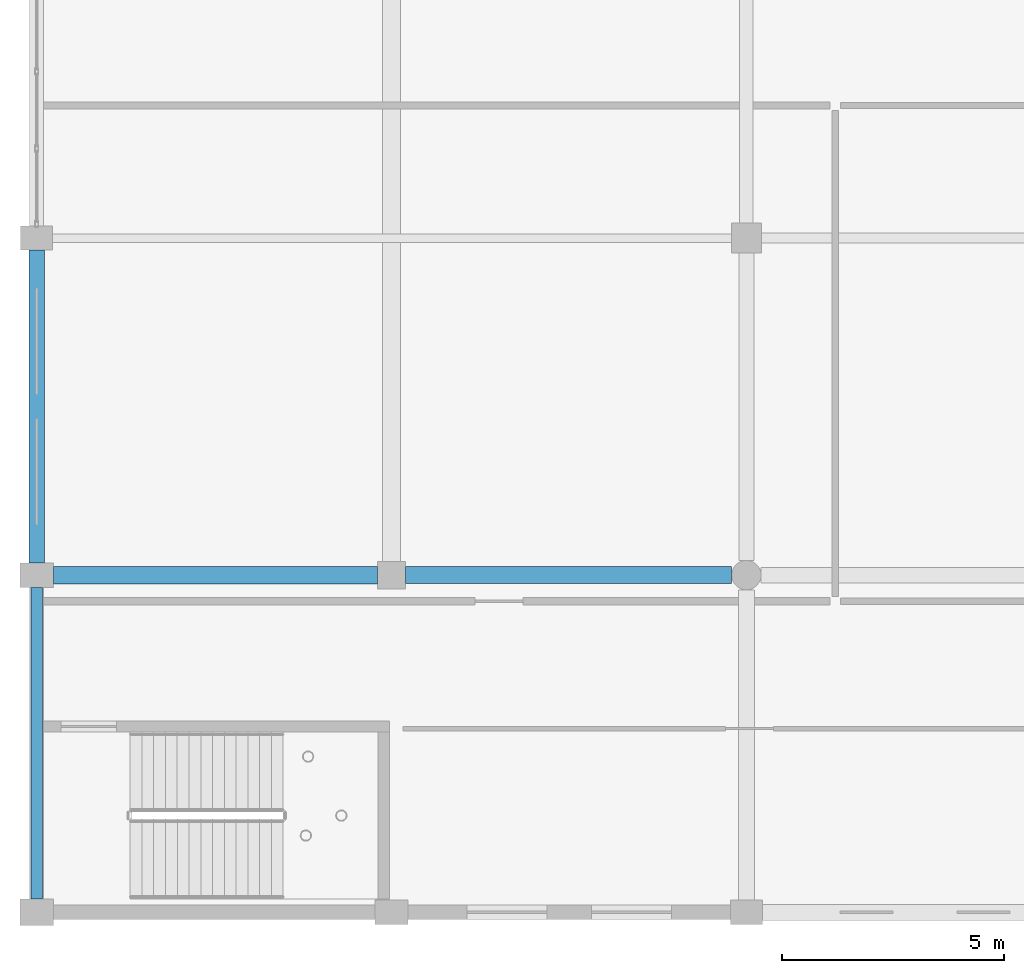
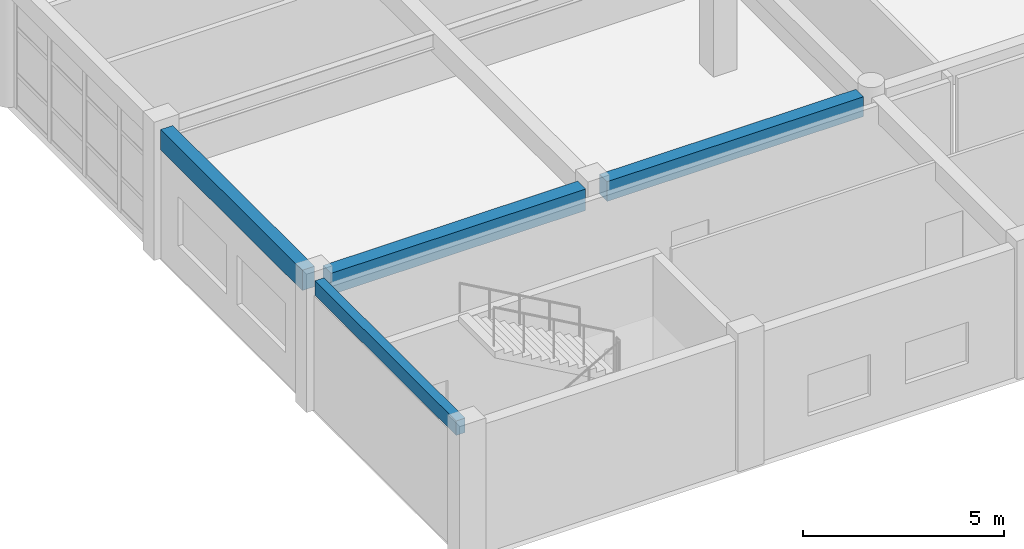
# One storey, part 33 of 195: 4 beams.
"""IFC4 building model written with IfcOpenShell, lengths in metres."""

import ifcopenshell
import ifcopenshell.guid

model = None  # the IFC model being written
_history = None  # IfcOwnerHistory: only IFC2X3 demands one
_inside = {}  # id of a spatial element -> (the spatial element, [elements in it])
_under = {}  # id of a project, library or spatial element -> (it, [spatial elements below it])
_declared = {}  # id of a project -> (the project, [libraries it declares])
_typed = {}  # id of a type object -> (the type object, [elements of that type])
_made_of = {}  # id of a material, layer set ... -> (it, [elements and type objects made of it])


def new_model(schema):
    """Start an empty IFC model of exactly this schema.

    Asked for "IFC4X3", IfcOpenShell would pick the latest addendum, in which some entities
    have other attributes; the version numbers below select the first issue.
    IFC2X3 requires an IfcOwnerHistory on every rooted entity: one is made here for all.
    """
    global model, _history
    if schema == "IFC4X3":
        model = ifcopenshell.file(schema_version=(4, 3, 0, 0))
    else:
        model = ifcopenshell.file(schema=schema)
    _inside.clear()
    _under.clear()
    _declared.clear()
    _typed.clear()
    _made_of.clear()
    _history = None
    if model.schema == "IFC2X3":
        org = make("IfcOrganization", Name="unknown")
        user = make(
            "IfcPersonAndOrganization",
            ThePerson=make("IfcPerson", FamilyName="unknown"),
            TheOrganization=org,
        )
        app = make(
            "IfcApplication",
            ApplicationDeveloper=org,
            Version="unknown",
            ApplicationFullName="unknown",
            ApplicationIdentifier="unknown",
        )
        _history = make(
            "IfcOwnerHistory",
            OwningUser=user,
            OwningApplication=app,
            ChangeAction="ADDED",
            CreationDate=0,
        )
    return model


def make(cls, **values):
    """One entity of the class cls with the attributes given. An attribute that is None is left unset."""
    return model.create_entity(
        cls, **{name: value for name, value in values.items() if value is not None}
    )


def rooted(cls, **values):
    """An entity with a GlobalId (a new one), such as an element, a storey or a relation."""
    return make(cls, GlobalId=ifcopenshell.guid.new(), OwnerHistory=_history, **values)


def si_unit(unit_type, name, prefix=None):
    """IfcSIUnit, for example si_unit("LENGTHUNIT", "METRE", prefix="MILLI")."""
    return make("IfcSIUnit", UnitType=unit_type, Prefix=prefix, Name=name)


def assignment(units):
    """IfcUnitAssignment: the units of a project."""
    return None if units is None else make("IfcUnitAssignment", Units=units)


def point(xyz):
    """IfcCartesianPoint."""
    return None if xyz is None else make("IfcCartesianPoint", Coordinates=xyz)


def direction(xyz):
    """IfcDirection."""
    return None if xyz is None else make("IfcDirection", DirectionRatios=xyz)


def frame(location, z_axis=None, x_axis=None):
    """IfcAxis2Placement3D, a coordinate frame: its origin and axes. An axis left out is left unset."""
    return make(
        "IfcAxis2Placement3D",
        Location=point(location),
        Axis=direction(z_axis),
        RefDirection=direction(x_axis),
    )


def frame_2d(location, x_axis=None):
    """IfcAxis2Placement2D, a coordinate frame in the plane: its origin and x axis."""
    return make(
        "IfcAxis2Placement2D", Location=point(location), RefDirection=direction(x_axis)
    )


def origin():
    """The frame at (0, 0, 0) with its axes left unset."""
    return frame((0.0, 0.0, 0.0))


def origin_2d():
    """The frame at (0, 0) in the plane with its x axis left unset."""
    return frame_2d((0.0, 0.0))


def place(relative_to, where):
    """IfcLocalPlacement: puts the frame where relative to a parent placement (None: the world)."""
    return make(
        "IfcLocalPlacement", PlacementRelTo=relative_to, RelativePlacement=where
    )


def context(
    kind, dimensions, precision=None, world=None, true_north=None, identifier=None
):
    """IfcGeometricRepresentationContext, for example the 3D "Model" context."""
    return make(
        "IfcGeometricRepresentationContext",
        ContextIdentifier=identifier,
        ContextType=kind,
        CoordinateSpaceDimension=dimensions,
        Precision=precision,
        WorldCoordinateSystem=world,
        TrueNorth=true_north,
    )


def subcontext(parent, identifier, kind, view, scale=None):
    """IfcGeometricRepresentationSubContext, for example "Body" below "Model"."""
    return make(
        "IfcGeometricRepresentationSubContext",
        ContextIdentifier=identifier,
        ContextType=kind,
        ParentContext=parent,
        TargetScale=scale,
        TargetView=view,
    )


def project(units=None, contexts=None):
    """IfcProject with its units and contexts."""
    return rooted(
        "IfcProject",
        Name="project",
        RepresentationContexts=contexts,
        UnitsInContext=assignment(units),
    )


def spatial(cls, under=None, at=None, **own):
    """A site, building, storey or space (cls), placed at a placement, below another one or the project."""
    s = rooted(cls, ObjectPlacement=at, **own)
    if under is not None:
        _under.setdefault(under.id(), (under, []))[1].append(s)
    return s


def profile(cls, at=None, kind="AREA", **sizes):
    """A parametric profile (cls). Its sizes go by their IFC names, for example OverallWidth=200.0."""
    return make(cls, ProfileType=kind, Position=at, **sizes)


def rectangle(**sizes):
    """IfcRectangleProfileDef."""
    return profile("IfcRectangleProfileDef", **sizes)


def extrude(swept, where, along, depth):
    """IfcExtrudedAreaSolid: the profile swept, set in the frame where, extruded along a direction by depth."""
    return make(
        "IfcExtrudedAreaSolid",
        SweptArea=swept,
        Position=where,
        ExtrudedDirection=direction(along),
        Depth=depth,
    )


def shape(context_of_items, identifier, shape_type, items):
    """IfcShapeRepresentation: the items that make up one representation, for example the "Body"."""
    return make(
        "IfcShapeRepresentation",
        ContextOfItems=context_of_items,
        RepresentationIdentifier=identifier,
        RepresentationType=shape_type,
        Items=items,
    )


def material(Name=None, Category=None):
    """IfcMaterial."""
    return make("IfcMaterial", Name=Name, Category=Category)


def material_profile(
    of_material, cross_section, Name=None, Category=None, Priority=None
):
    """IfcMaterialProfile: a cross section and its material."""
    return make(
        "IfcMaterialProfile",
        Name=Name,
        Material=of_material,
        Profile=cross_section,
        Priority=Priority,
        Category=Category,
    )


def profile_set(profiles, Name=None, composite=None):
    """IfcMaterialProfileSet."""
    return make(
        "IfcMaterialProfileSet",
        Name=Name,
        MaterialProfiles=profiles,
        CompositeProfile=composite,
    )


def made_of(thing, what):
    """Note that an element or type object is made of a material, layer set ...; save() writes the relation."""
    if what is not None:
        _made_of.setdefault(what.id(), (what, []))[1].append(thing)
    return thing


def type_object(cls, material=None, **own):
    """A type object (cls), such as IfcWallType, which elements share."""
    return made_of(rooted(cls, **own), material)


def element(
    cls,
    number,
    at=None,
    inside=None,
    cuts=None,
    type_object=None,
    material=None,
    context=None,
    identifier="Body",
    shape_type=None,
    held_by="IfcProductDefinitionShape",
    body=None,
    shapes=None,
    **own,
):
    """One element of the class cls, such as IfcWall. Its Tag is "e" and its number.

    at: its placement. inside: the storey or other place that contains it. cuts: it is an
    opening in that element (IfcRelVoidsElement). A single representation is given by context,
    identifier, shape_type and body (its items); several are given by shapes. held_by: the class
    of the entity that holds the representations. save() writes the other relations.
    """
    e = rooted(cls, Tag="e%d" % number, ObjectPlacement=at, **own)
    if body is not None:
        shapes = [shape(context, identifier, shape_type, body)]
    if shapes is not None:
        e.Representation = make(held_by, Representations=shapes)
    if inside is not None:
        _inside.setdefault(inside.id(), (inside, []))[1].append(e)
    if cuts is not None:
        rooted(
            "IfcRelVoidsElement", RelatingBuildingElement=cuts, RelatedOpeningElement=e
        )
    if type_object is not None:
        _typed.setdefault(type_object.id(), (type_object, []))[1].append(e)
    return made_of(e, material)


def aggregate(whole, parts):
    """IfcRelAggregates: a whole, such as a stair, and the parts it consists of."""
    return rooted("IfcRelAggregates", RelatingObject=whole, RelatedObjects=parts)


def save(model, path):
    """Write the relations noted so far, then the file.

    IfcRelAggregates (storeys below a building ...), IfcRelContainedInSpatialStructure (elements
    in a storey), IfcRelDefinesByType, IfcRelAssociatesMaterial and IfcRelDeclares: one each for
    every whole, place, type object, material and project.
    """
    for whole, parts in _under.values():
        aggregate(whole, parts)
    for where, things in _inside.values():
        rooted(
            "IfcRelContainedInSpatialStructure",
            RelatedElements=things,
            RelatingStructure=where,
        )
    for kind, things in _typed.values():
        rooted("IfcRelDefinesByType", RelatedObjects=things, RelatingType=kind)
    for what, things in _made_of.values():
        rooted("IfcRelAssociatesMaterial", RelatedObjects=things, RelatingMaterial=what)
    for by, libraries in _declared.values():
        rooted("IfcRelDeclares", RelatingContext=by, RelatedDefinitions=libraries)
    model.write(path)


model = new_model("IFC4")

# Units and contexts
model_context = context("Model", 3, precision=1e-05, world=origin(), true_north=direction((0.0, 1.0)))
body_context = subcontext(model_context, "Body", "Model", "MODEL_VIEW")
ifc_project = project(units=[si_unit("LENGTHUNIT", "METRE"), si_unit("AREAUNIT", "SQUARE_METRE"), si_unit("VOLUMEUNIT", "CUBIC_METRE"), si_unit("PLANEANGLEUNIT", "RADIAN"), si_unit("MASSUNIT", "GRAM", prefix="KILO")], contexts=[model_context])

# Site, building, storey
site_placement = place(None, origin())
site = spatial("IfcSite", under=ifc_project, at=site_placement, CompositionType="ELEMENT")
building_placement = place(site_placement, origin())
building = spatial("IfcBuilding", under=site, at=building_placement, Name="Kharva Crest Polytechnic", CompositionType="ELEMENT")
storey_placement = place(building_placement, frame((0.0, 0.0, 9.0)))
storey = spatial("IfcBuildingStorey", under=building, at=storey_placement, Name="L02", CompositionType="ELEMENT", Elevation=9.0)

# Beams
ifc_material = material(Name="Concrete C35/45", Category="concrete")
ifc_material_profile_1 = material_profile(ifc_material, rectangle(XDim=0.3798828125, YDim=0.60009765625, at=origin_2d()), Name="RECT 380 X 600")
ifc_profile_set_1 = profile_set([ifc_material_profile_1], Name="Concrete C35/45")
beam_type_1 = type_object("IfcBeamType", Name="BM-RC-380X600", PredefinedType="BEAM", material=ifc_profile_set_1)
beam_1_placement = place(storey_placement, frame((8.31005859375, 7.60009765625, 3.6201171875), z_axis=(1.0, 0.0, 0.0), x_axis=(0.0, 1.0, 0.0)))
element("IfcBeam", 1, at=beam_1_placement, inside=storey, type_object=beam_type_1, Name="L02 Beam B/2-3", PredefinedType="BEAM", context=body_context, shape_type="SweptSolid", body=[
    extrude(rectangle(XDim=0.3798828125, YDim=0.60009765625, at=origin_2d()), origin(), (0.0, 0.0, 1.0), 7.35986328125),
])
ifc_material_profile_2 = material_profile(ifc_material, rectangle(XDim=0.39990234375, YDim=0.64990234375, at=origin_2d()), Name="RECT 400 X 650")
ifc_profile_set_2 = profile_set([ifc_material_profile_2], Name="Concrete C35/45")
beam_type_2 = type_object("IfcBeamType", Name="BM-RC-400X650", PredefinedType="BEAM", material=ifc_profile_set_2)
beam_2_placement = place(storey_placement, frame((0.375, 7.60009765625, 3.594970703125), z_axis=(1.0, 0.0, 0.0), x_axis=(0.0, 1.0, 0.0)))
element("IfcBeam", 2, at=beam_2_placement, inside=storey, type_object=beam_type_2, Name="L02 Beam B/1-2", PredefinedType="BEAM", context=body_context, shape_type="SweptSolid", body=[
    extrude(rectangle(XDim=0.39990234375, YDim=0.64990234375, at=origin_2d()), origin(), (0.0, 0.0, 1.0), 7.31494140625),
])
ifc_material_profile_3 = material_profile(ifc_material, rectangle(XDim=0.260009765625, YDim=0.43994140625, at=origin_2d()), Name="RECT 260 X 440")
ifc_profile_set_3 = profile_set([ifc_material_profile_3], Name="Concrete C35/45")
beam_type_3 = type_object("IfcBeamType", Name="SP-RC-260X440", PredefinedType="SPANDREL", material=ifc_profile_set_3)
beam_3_placement = place(storey_placement, frame((0.0, 0.300048828125, 3.699951171875), z_axis=(0.0, 1.0, 0.0), x_axis=(-1.0, 0.0, 0.0)))
element("IfcBeam", 3, at=beam_3_placement, inside=storey, type_object=beam_type_3, Name="L02 Girder 1/A-B", PredefinedType="SPANDREL", context=body_context, shape_type="SweptSolid", body=[
    extrude(rectangle(XDim=0.260009765625, YDim=0.43994140625, at=origin_2d()), origin(), (0.0, 0.0, 1.0), 7.02490234375),
])
ifc_material_profile_4 = material_profile(ifc_material, rectangle(XDim=0.35009765625, YDim=0.6201171875, at=origin_2d()), Name="RECT 350 X 620")
ifc_profile_set_4 = profile_set([ifc_material_profile_4], Name="Concrete C35/45")
beam_type_4 = type_object("IfcBeamType", Name="SP-RC-350X620", PredefinedType="SPANDREL", material=ifc_profile_set_4)
beam_4_placement = place(storey_placement, frame((0.0, 7.875, 3.610107421875), z_axis=(0.0, 1.0, 0.0), x_axis=(-1.0, 0.0, 0.0)))
element("IfcBeam", 4, at=beam_4_placement, inside=storey, type_object=beam_type_4, Name="L02 Girder 1/B-C", PredefinedType="SPANDREL", context=body_context, shape_type="SweptSolid", body=[
    extrude(rectangle(XDim=0.35009765625, YDim=0.6201171875, at=origin_2d()), origin(), (0.0, 0.0, 1.0), 7.050048828125),
])

save(model, "model.ifc")
